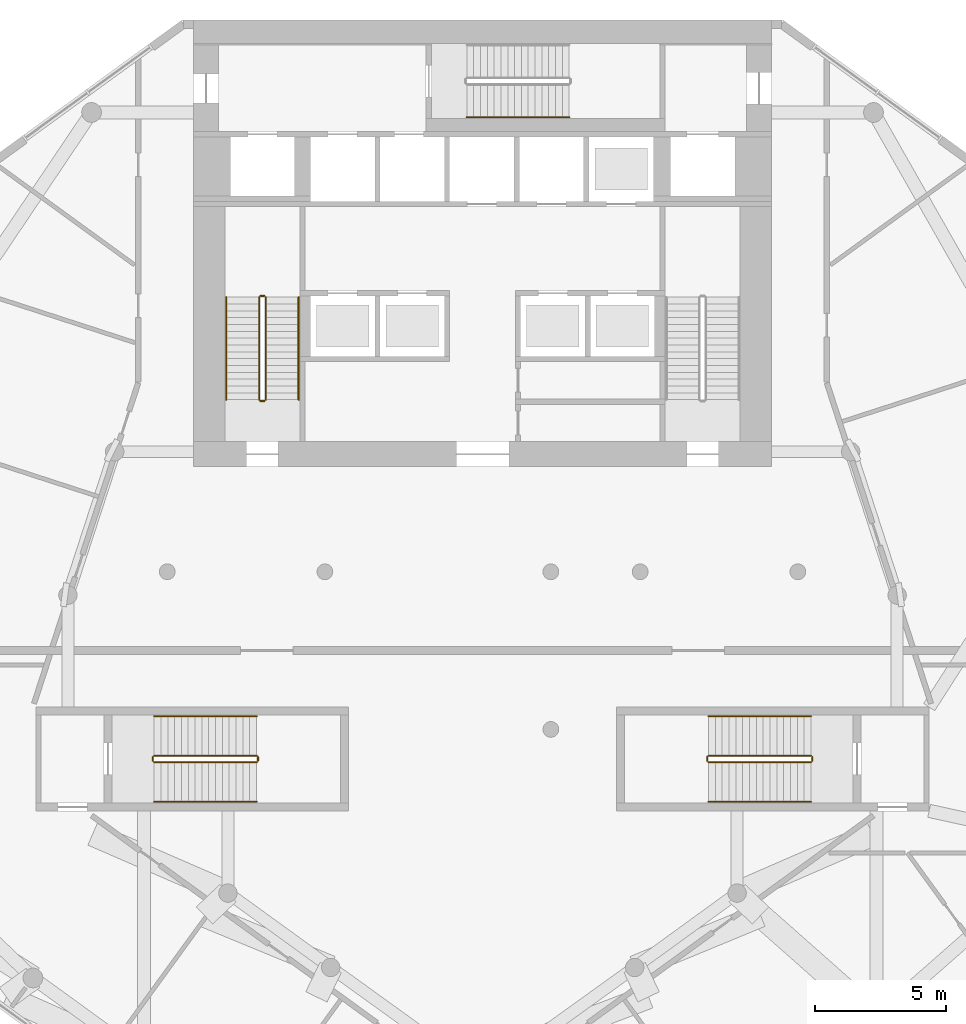
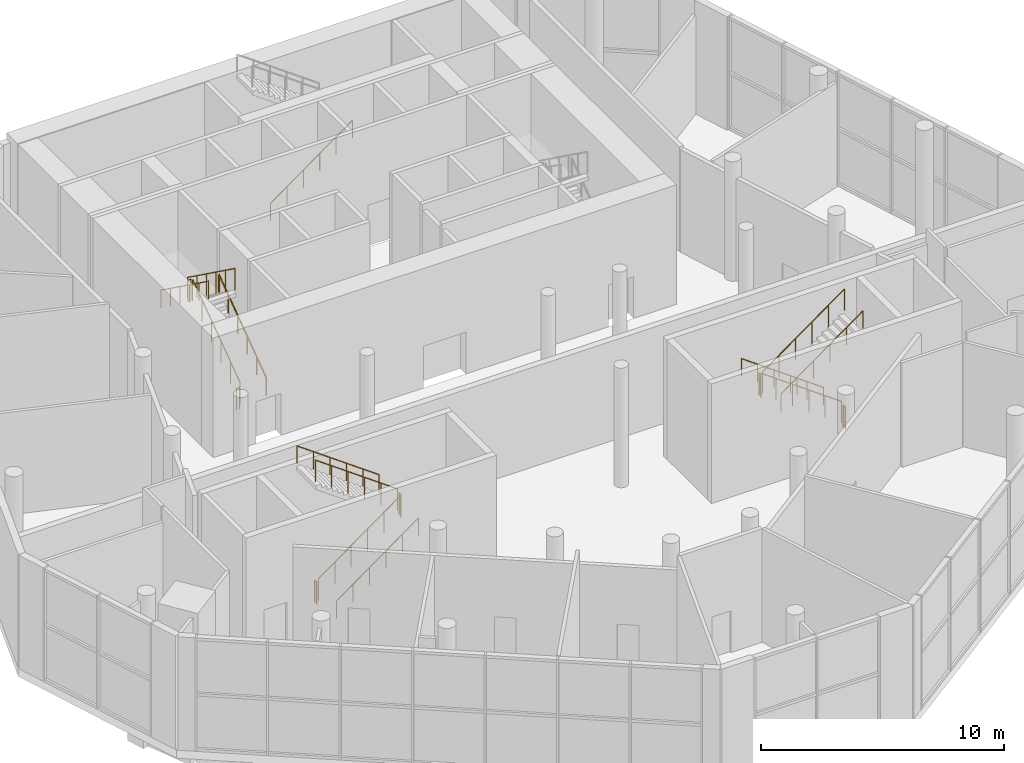
# One storey, part 12 of 14: 19 railings.
"""IFC4 building model written with IfcOpenShell, lengths in metres."""

from ifc_helpers import new_model, si_unit, direction, frame, origin, origin_2d, place, context, subcontext, project, spatial, circle, extrude, material, type_object, element, save


model = new_model("IFC4")

# Units and contexts
model_context = context("Model", 3, precision=1e-05, world=origin(), true_north=direction((0.0, 1.0)))
body_context = subcontext(model_context, "Body", "Model", "MODEL_VIEW")
ifc_project = project(units=[si_unit("LENGTHUNIT", "METRE"), si_unit("AREAUNIT", "SQUARE_METRE"), si_unit("VOLUMEUNIT", "CUBIC_METRE"), si_unit("PLANEANGLEUNIT", "RADIAN"), si_unit("MASSUNIT", "GRAM", prefix="KILO")], contexts=[model_context])

# Site, building, storey
site_placement = place(None, origin())
site = spatial("IfcSite", under=ifc_project, at=site_placement, CompositionType="ELEMENT")
building_placement = place(site_placement, origin())
building = spatial("IfcBuilding", under=site, at=building_placement, Name="White Candle Pilgrim Tower", CompositionType="ELEMENT")
storey_placement = place(building_placement, frame((0.0, 0.0, 142.60009765625)))
storey = spatial("IfcBuildingStorey", under=building, at=storey_placement, Name="L32", CompositionType="ELEMENT", Elevation=142.60009765625)

# Railings
ifc_material = material(Name="Stainless steel", Category="steel")
railing_type_1 = type_object("IfcRailingType", Name="Stair guard stainless steel 1100 mm", PredefinedType="GUARDRAIL", material=ifc_material)
railing_1_placement = place(storey_placement, frame((61.75, 73.550048828125, 0.1875)))
element("IfcRailing", 1, at=railing_1_placement, inside=storey, type_object=railing_type_1, Name="L32 ST1 stair guard 1", PredefinedType="GUARDRAIL", context=body_context, shape_type="SweptSolid", body=[
    extrude(circle(Radius=0.02392578125, at=origin_2d()), frame((0.0, 0.0, 1.076171875), z_axis=(0.0, 0.811083382981, 0.584930547887), x_axis=(-1.0, 0.0, 0.0)), (0.0, 0.0, 1.0), 4.808349609375),
    extrude(circle(Radius=0.02099609375, at=origin_2d()), origin(), (0.0, 0.0, 1.0), 1.052001953125),
    extrude(circle(Radius=0.02099609375, at=origin_2d()), frame((0.0, 0.780029296875, 0.5625)), (0.0, 0.0, 1.0), 1.052001953125),
    extrude(circle(Radius=0.02099609375, at=origin_2d()), frame((0.0, 1.56005859375, 1.125)), (0.0, 0.0, 1.0), 1.052001953125),
    extrude(circle(Radius=0.02099609375, at=origin_2d()), frame((0.0, 2.33984375, 1.6875)), (0.0, 0.0, 1.0), 1.052001953125),
    extrude(circle(Radius=0.02099609375, at=origin_2d()), frame((0.0, 3.119873046875, 2.25)), (0.0, 0.0, 1.0), 1.052001953125),
    extrude(circle(Radius=0.02099609375, at=origin_2d()), frame((0.0, 3.89990234375, 2.8125)), (0.0, 0.0, 1.0), 1.052001953125),
])
railing_2_placement = place(storey_placement, frame((61.699951171875, 77.5, 3.0)))
element("IfcRailing", 2, at=railing_2_placement, inside=storey, type_object=railing_type_1, Name="L32 ST1 stair guard 2", PredefinedType="GUARDRAIL", context=body_context, shape_type="SweptSolid", body=[
    extrude(circle(Radius=0.02392578125, at=origin_2d()), frame((0.0, 0.0, 1.076171875), z_axis=(-1.0, 0.0, 0.0), x_axis=(0.0, -1.0, 0.0)), (0.0, 0.0, 1.0), 0.14990234375),
    extrude(circle(Radius=0.02099609375, at=origin_2d()), origin(), (0.0, 0.0, 1.0), 1.052001953125),
    extrude(circle(Radius=0.02099609375, at=origin_2d()), frame((-0.14990234375, 0.0, 0.0)), (0.0, 0.0, 1.0), 1.052001953125),
])
railing_3_placement = place(storey_placement, frame((61.5, 77.449951171875, 3.1875)))
element("IfcRailing", 3, at=railing_3_placement, inside=storey, type_object=railing_type_1, Name="L32 ST1 stair guard 3", PredefinedType="GUARDRAIL", context=body_context, shape_type="SweptSolid", body=[
    extrude(circle(Radius=0.02392578125, at=origin_2d()), frame((0.0, 0.0, 1.076171875), z_axis=(0.0, -0.811083382981, 0.584930547887), x_axis=(1.0, 0.0, 0.0)), (0.0, 0.0, 1.0), 4.808349609375),
    extrude(circle(Radius=0.02099609375, at=origin_2d()), origin(), (0.0, 0.0, 1.0), 1.052001953125),
    extrude(circle(Radius=0.02099609375, at=origin_2d()), frame((0.0, -0.780029296875, 0.5625)), (0.0, 0.0, 1.0), 1.052001953125),
    extrude(circle(Radius=0.02099609375, at=origin_2d()), frame((0.0, -1.56005859375, 1.125)), (0.0, 0.0, 1.0), 1.052001953125),
    extrude(circle(Radius=0.02099609375, at=origin_2d()), frame((0.0, -2.33984375, 1.6875)), (0.0, 0.0, 1.0), 1.052001953125),
    extrude(circle(Radius=0.02099609375, at=origin_2d()), frame((0.0, -3.119873046875, 2.25)), (0.0, 0.0, 1.0), 1.052001953125),
    extrude(circle(Radius=0.02099609375, at=origin_2d()), frame((0.0, -3.89990234375, 2.8125)), (0.0, 0.0, 1.0), 1.052001953125),
])
railing_4_placement = place(storey_placement, frame((61.699951171875, 73.5, 0.0)))
element("IfcRailing", 4, at=railing_4_placement, inside=storey, type_object=railing_type_1, Name="L32 ST1 stair guard 4", PredefinedType="GUARDRAIL", context=body_context, shape_type="SweptSolid", body=[
    extrude(circle(Radius=0.02392578125, at=origin_2d()), frame((0.0, 0.0, 1.076171875), z_axis=(-1.0, 0.0, 0.0), x_axis=(0.0, -1.0, 0.0)), (0.0, 0.0, 1.0), 0.14990234375),
    extrude(circle(Radius=0.02099609375, at=origin_2d()), origin(), (0.0, 0.0, 1.0), 1.052001953125),
    extrude(circle(Radius=0.02099609375, at=origin_2d()), frame((-0.14990234375, 0.0, 0.0)), (0.0, 0.0, 1.0), 1.052001953125),
])
railing_5_placement = place(storey_placement, frame((82.5, 60.0, 0.1875)))
element("IfcRailing", 5, at=railing_5_placement, inside=storey, type_object=railing_type_1, Name="L32 ST4 stair guard 1", PredefinedType="GUARDRAIL", context=body_context, shape_type="SweptSolid", body=[
    extrude(circle(Radius=0.02392578125, at=origin_2d()), frame((0.0, 0.0, 1.076171875), z_axis=(-0.811083382981, 0.0, 0.584930547887), x_axis=(0.0, -1.0, 0.0)), (0.0, 0.0, 1.0), 4.808349609375),
    extrude(circle(Radius=0.02099609375, at=origin_2d()), origin(), (0.0, 0.0, 1.0), 1.052001953125),
    extrude(circle(Radius=0.02099609375, at=origin_2d()), frame((-0.780029296875, 0.0, 0.5625)), (0.0, 0.0, 1.0), 1.052001953125),
    extrude(circle(Radius=0.02099609375, at=origin_2d()), frame((-1.56005859375, 0.0, 1.125)), (0.0, 0.0, 1.0), 1.052001953125),
    extrude(circle(Radius=0.02099609375, at=origin_2d()), frame((-2.33984375, 0.0, 1.6875)), (0.0, 0.0, 1.0), 1.052001953125),
    extrude(circle(Radius=0.02099609375, at=origin_2d()), frame((-3.119873046875, 0.0, 2.25)), (0.0, 0.0, 1.0), 1.052001953125),
    extrude(circle(Radius=0.02099609375, at=origin_2d()), frame((-3.89990234375, 0.0, 2.8125)), (0.0, 0.0, 1.0), 1.052001953125),
])
railing_6_placement = place(storey_placement, frame((78.550048828125, 59.949951171875, 3.0)))
element("IfcRailing", 6, at=railing_6_placement, inside=storey, type_object=railing_type_1, Name="L32 ST4 stair guard 2", PredefinedType="GUARDRAIL", context=body_context, shape_type="SweptSolid", body=[
    extrude(circle(Radius=0.02392578125, at=origin_2d()), frame((0.0, 0.0, 1.076171875), z_axis=(0.0, -1.0, 0.0), x_axis=(1.0, 0.0, 0.0)), (0.0, 0.0, 1.0), 0.14990234375),
    extrude(circle(Radius=0.02099609375, at=origin_2d()), origin(), (0.0, 0.0, 1.0), 1.052001953125),
    extrude(circle(Radius=0.02099609375, at=origin_2d()), frame((0.0, -0.14990234375, 0.0)), (0.0, 0.0, 1.0), 1.052001953125),
])
railing_7_placement = place(storey_placement, frame((78.60009765625, 59.75, 3.1875)))
element("IfcRailing", 7, at=railing_7_placement, inside=storey, type_object=railing_type_1, Name="L32 ST4 stair guard 3", PredefinedType="GUARDRAIL", context=body_context, shape_type="SweptSolid", body=[
    extrude(circle(Radius=0.02392578125, at=origin_2d()), frame((0.0, 0.0, 1.076171875), z_axis=(0.811083382981, 0.0, 0.584930547887), x_axis=(0.0, 1.0, 0.0)), (0.0, 0.0, 1.0), 4.808349609375),
    extrude(circle(Radius=0.02099609375, at=origin_2d()), origin(), (0.0, 0.0, 1.0), 1.052001953125),
    extrude(circle(Radius=0.02099609375, at=origin_2d()), frame((0.780029296875, 0.0, 0.5625)), (0.0, 0.0, 1.0), 1.052001953125),
    extrude(circle(Radius=0.02099609375, at=origin_2d()), frame((1.56005859375, 0.0, 1.125)), (0.0, 0.0, 1.0), 1.052001953125),
    extrude(circle(Radius=0.02099609375, at=origin_2d()), frame((2.33984375, 0.0, 1.6875)), (0.0, 0.0, 1.0), 1.052001953125),
    extrude(circle(Radius=0.02099609375, at=origin_2d()), frame((3.119873046875, 0.0, 2.25)), (0.0, 0.0, 1.0), 1.052001953125),
    extrude(circle(Radius=0.02099609375, at=origin_2d()), frame((3.89990234375, 0.0, 2.8125)), (0.0, 0.0, 1.0), 1.052001953125),
])
railing_8_placement = place(storey_placement, frame((82.550048828125, 59.949951171875, 0.0)))
element("IfcRailing", 8, at=railing_8_placement, inside=storey, type_object=railing_type_1, Name="L32 ST4 stair guard 4", PredefinedType="GUARDRAIL", context=body_context, shape_type="SweptSolid", body=[
    extrude(circle(Radius=0.02392578125, at=origin_2d()), frame((0.0, 0.0, 1.076171875), z_axis=(0.0, -1.0, 0.0), x_axis=(1.0, 0.0, 0.0)), (0.0, 0.0, 1.0), 0.14990234375),
    extrude(circle(Radius=0.02099609375, at=origin_2d()), origin(), (0.0, 0.0, 1.0), 1.052001953125),
    extrude(circle(Radius=0.02099609375, at=origin_2d()), frame((0.0, -0.14990234375, 0.0)), (0.0, 0.0, 1.0), 1.052001953125),
])
railing_9_placement = place(storey_placement, frame((57.5, 59.75, 0.1875)))
element("IfcRailing", 9, at=railing_9_placement, inside=storey, type_object=railing_type_1, Name="L32 ST5 stair guard 1", PredefinedType="GUARDRAIL", context=body_context, shape_type="SweptSolid", body=[
    extrude(circle(Radius=0.02392578125, at=origin_2d()), frame((0.0, 0.0, 1.076171875), z_axis=(0.811083382981, 0.0, 0.584930547887), x_axis=(0.0, 1.0, 0.0)), (0.0, 0.0, 1.0), 4.808349609375),
    extrude(circle(Radius=0.02099609375, at=origin_2d()), origin(), (0.0, 0.0, 1.0), 1.052001953125),
    extrude(circle(Radius=0.02099609375, at=origin_2d()), frame((0.780029296875, 0.0, 0.5625)), (0.0, 0.0, 1.0), 1.052001953125),
    extrude(circle(Radius=0.02099609375, at=origin_2d()), frame((1.56005859375, 0.0, 1.125)), (0.0, 0.0, 1.0), 1.052001953125),
    extrude(circle(Radius=0.02099609375, at=origin_2d()), frame((2.33984375, 0.0, 1.6875)), (0.0, 0.0, 1.0), 1.052001953125),
    extrude(circle(Radius=0.02099609375, at=origin_2d()), frame((3.119873046875, 0.0, 2.25)), (0.0, 0.0, 1.0), 1.052001953125),
    extrude(circle(Radius=0.02099609375, at=origin_2d()), frame((3.89990234375, 0.0, 2.8125)), (0.0, 0.0, 1.0), 1.052001953125),
])
railing_10_placement = place(storey_placement, frame((61.449951171875, 59.800048828125, 3.0)))
element("IfcRailing", 10, at=railing_10_placement, inside=storey, type_object=railing_type_1, Name="L32 ST5 stair guard 2", PredefinedType="GUARDRAIL", context=body_context, shape_type="SweptSolid", body=[
    extrude(circle(Radius=0.02392578125, at=origin_2d()), frame((0.0, 0.0, 1.076171875), z_axis=(0.0, 1.0, 0.0), x_axis=(-1.0, 0.0, 0.0)), (0.0, 0.0, 1.0), 0.14990234375),
    extrude(circle(Radius=0.02099609375, at=origin_2d()), origin(), (0.0, 0.0, 1.0), 1.052001953125),
    extrude(circle(Radius=0.02099609375, at=origin_2d()), frame((0.0, 0.14990234375, 0.0)), (0.0, 0.0, 1.0), 1.052001953125),
])
railing_11_placement = place(storey_placement, frame((61.39990234375, 60.0, 3.1875)))
element("IfcRailing", 11, at=railing_11_placement, inside=storey, type_object=railing_type_1, Name="L32 ST5 stair guard 3", PredefinedType="GUARDRAIL", context=body_context, shape_type="SweptSolid", body=[
    extrude(circle(Radius=0.02392578125, at=origin_2d()), frame((0.0, 0.0, 1.076171875), z_axis=(-0.811083382981, 0.0, 0.584930547887), x_axis=(0.0, -1.0, 0.0)), (0.0, 0.0, 1.0), 4.808349609375),
    extrude(circle(Radius=0.02099609375, at=origin_2d()), origin(), (0.0, 0.0, 1.0), 1.052001953125),
    extrude(circle(Radius=0.02099609375, at=origin_2d()), frame((-0.780029296875, 0.0, 0.5625)), (0.0, 0.0, 1.0), 1.052001953125),
    extrude(circle(Radius=0.02099609375, at=origin_2d()), frame((-1.56005859375, 0.0, 1.125)), (0.0, 0.0, 1.0), 1.052001953125),
    extrude(circle(Radius=0.02099609375, at=origin_2d()), frame((-2.33984375, 0.0, 1.6875)), (0.0, 0.0, 1.0), 1.052001953125),
    extrude(circle(Radius=0.02099609375, at=origin_2d()), frame((-3.119873046875, 0.0, 2.25)), (0.0, 0.0, 1.0), 1.052001953125),
    extrude(circle(Radius=0.02099609375, at=origin_2d()), frame((-3.89990234375, 0.0, 2.8125)), (0.0, 0.0, 1.0), 1.052001953125),
])
railing_12_placement = place(storey_placement, frame((57.449951171875, 59.800048828125, 0.0)))
element("IfcRailing", 12, at=railing_12_placement, inside=storey, type_object=railing_type_1, Name="L32 ST5 stair guard 4", PredefinedType="GUARDRAIL", context=body_context, shape_type="SweptSolid", body=[
    extrude(circle(Radius=0.02392578125, at=origin_2d()), frame((0.0, 0.0, 1.076171875), z_axis=(0.0, 1.0, 0.0), x_axis=(-1.0, 0.0, 0.0)), (0.0, 0.0, 1.0), 0.14990234375),
    extrude(circle(Radius=0.02099609375, at=origin_2d()), origin(), (0.0, 0.0, 1.0), 1.052001953125),
    extrude(circle(Radius=0.02099609375, at=origin_2d()), frame((0.0, 0.14990234375, 0.0)), (0.0, 0.0, 1.0), 1.052001953125),
])
railing_type_2 = type_object("IfcRailingType", Name="Stair handrail stainless steel", PredefinedType="HANDRAIL", material=ifc_material)
railing_13_placement = place(storey_placement, frame((63.0, 73.550048828125, 0.1875)))
element("IfcRailing", 13, at=railing_13_placement, inside=storey, type_object=railing_type_2, Name="L32 ST1 stair handrail 1", PredefinedType="HANDRAIL", context=body_context, shape_type="SweptSolid", body=[
    extrude(circle(Radius=0.02392578125, at=origin_2d()), frame((0.0, 0.0, 0.8759765625), z_axis=(0.0, 0.811083382981, 0.584930547887), x_axis=(-1.0, 0.0, 0.0)), (0.0, 0.0, 1.0), 4.808349609375),
    extrude(circle(Radius=0.02099609375, at=origin_2d()), origin(), (0.0, 0.0, 1.0), 0.851806640625),
    extrude(circle(Radius=0.02099609375, at=origin_2d()), frame((0.0, 0.780029296875, 0.5625)), (0.0, 0.0, 1.0), 0.851806640625),
    extrude(circle(Radius=0.02099609375, at=origin_2d()), frame((0.0, 1.56005859375, 1.125)), (0.0, 0.0, 1.0), 0.851806640625),
    extrude(circle(Radius=0.02099609375, at=origin_2d()), frame((0.0, 2.33984375, 1.6875)), (0.0, 0.0, 1.0), 0.851806640625),
    extrude(circle(Radius=0.02099609375, at=origin_2d()), frame((0.0, 3.119873046875, 2.25)), (0.0, 0.0, 1.0), 0.851806640625),
    extrude(circle(Radius=0.02099609375, at=origin_2d()), frame((0.0, 3.89990234375, 2.8125)), (0.0, 0.0, 1.0), 0.851806640625),
])
railing_14_placement = place(storey_placement, frame((60.25, 77.449951171875, 3.1875)))
element("IfcRailing", 14, at=railing_14_placement, inside=storey, type_object=railing_type_2, Name="L32 ST1 stair handrail 2", PredefinedType="HANDRAIL", context=body_context, shape_type="SweptSolid", body=[
    extrude(circle(Radius=0.02392578125, at=origin_2d()), frame((0.0, 0.0, 0.8759765625), z_axis=(0.0, -0.811083382981, 0.584930547887), x_axis=(1.0, 0.0, 0.0)), (0.0, 0.0, 1.0), 4.808349609375),
    extrude(circle(Radius=0.02099609375, at=origin_2d()), origin(), (0.0, 0.0, 1.0), 0.851806640625),
    extrude(circle(Radius=0.02099609375, at=origin_2d()), frame((0.0, -0.780029296875, 0.5625)), (0.0, 0.0, 1.0), 0.851806640625),
    extrude(circle(Radius=0.02099609375, at=origin_2d()), frame((0.0, -1.56005859375, 1.125)), (0.0, 0.0, 1.0), 0.851806640625),
    extrude(circle(Radius=0.02099609375, at=origin_2d()), frame((0.0, -2.33984375, 1.6875)), (0.0, 0.0, 1.0), 0.851806640625),
    extrude(circle(Radius=0.02099609375, at=origin_2d()), frame((0.0, -3.119873046875, 2.25)), (0.0, 0.0, 1.0), 0.851806640625),
    extrude(circle(Radius=0.02099609375, at=origin_2d()), frame((0.0, -3.89990234375, 2.8125)), (0.0, 0.0, 1.0), 0.851806640625),
])
railing_15_placement = place(storey_placement, frame((69.39990234375, 84.300048828125, 0.1875)))
element("IfcRailing", 15, at=railing_15_placement, inside=storey, type_object=railing_type_2, Name="L32 ST3 stair handrail 1", PredefinedType="HANDRAIL", context=body_context, shape_type="SweptSolid", body=[
    extrude(circle(Radius=0.02392578125, at=origin_2d()), frame((0.0, 0.0, 0.8759765625), z_axis=(0.811100754333, 0.0, 0.584906459462), x_axis=(0.0, 1.0, 0.0)), (0.0, 0.0, 1.0), 4.808349609375),
    extrude(circle(Radius=0.02099609375, at=origin_2d()), origin(), (0.0, 0.0, 1.0), 0.851806640625),
    extrude(circle(Radius=0.02099609375, at=origin_2d()), frame((0.780029296875, 0.0, 0.5625)), (0.0, 0.0, 1.0), 0.851806640625),
    extrude(circle(Radius=0.02099609375, at=origin_2d()), frame((1.56005859375, 0.0, 1.125)), (0.0, 0.0, 1.0), 0.851806640625),
    extrude(circle(Radius=0.02099609375, at=origin_2d()), frame((2.340087890625, 0.0, 1.6875)), (0.0, 0.0, 1.0), 0.851806640625),
    extrude(circle(Radius=0.02099609375, at=origin_2d()), frame((3.1201171875, 0.0, 2.25)), (0.0, 0.0, 1.0), 0.851806640625),
    extrude(circle(Radius=0.02099609375, at=origin_2d()), frame((3.900146484375, 0.0, 2.8125)), (0.0, 0.0, 1.0), 0.851806640625),
])
railing_16_placement = place(storey_placement, frame((82.5, 61.5, 0.1875)))
element("IfcRailing", 16, at=railing_16_placement, inside=storey, type_object=railing_type_2, Name="L32 ST4 stair handrail 1", PredefinedType="HANDRAIL", context=body_context, shape_type="SweptSolid", body=[
    extrude(circle(Radius=0.02392578125, at=origin_2d()), frame((0.0, 0.0, 0.8759765625), z_axis=(-0.811083382981, 0.0, 0.584930547887), x_axis=(0.0, -1.0, 0.0)), (0.0, 0.0, 1.0), 4.808349609375),
    extrude(circle(Radius=0.02099609375, at=origin_2d()), origin(), (0.0, 0.0, 1.0), 0.851806640625),
    extrude(circle(Radius=0.02099609375, at=origin_2d()), frame((-0.780029296875, 0.0, 0.5625)), (0.0, 0.0, 1.0), 0.851806640625),
    extrude(circle(Radius=0.02099609375, at=origin_2d()), frame((-1.56005859375, 0.0, 1.125)), (0.0, 0.0, 1.0), 0.851806640625),
    extrude(circle(Radius=0.02099609375, at=origin_2d()), frame((-2.33984375, 0.0, 1.6875)), (0.0, 0.0, 1.0), 0.851806640625),
    extrude(circle(Radius=0.02099609375, at=origin_2d()), frame((-3.119873046875, 0.0, 2.25)), (0.0, 0.0, 1.0), 0.851806640625),
    extrude(circle(Radius=0.02099609375, at=origin_2d()), frame((-3.89990234375, 0.0, 2.8125)), (0.0, 0.0, 1.0), 0.851806640625),
])
for number, where, name in (
    (17, (78.60009765625, 58.25, 3.1875), "L32 ST4 stair handrail 2"),
    (18, (57.5, 58.25, 0.1875), "L32 ST5 stair handrail 1"),
):
    element("IfcRailing", number, at=place(storey_placement, frame(where)), inside=storey, type_object=railing_type_2, Name=name, PredefinedType="HANDRAIL", context=body_context, shape_type="SweptSolid", body=[
        extrude(circle(Radius=0.02392578125, at=origin_2d()), frame((0.0, 0.0, 0.8759765625), z_axis=(0.811083382981, 0.0, 0.584930547887), x_axis=(0.0, 1.0, 0.0)), (0.0, 0.0, 1.0), 4.808349609375),
        extrude(circle(Radius=0.02099609375, at=origin_2d()), origin(), (0.0, 0.0, 1.0), 0.851806640625),
        extrude(circle(Radius=0.02099609375, at=origin_2d()), frame((0.780029296875, 0.0, 0.5625)), (0.0, 0.0, 1.0), 0.851806640625),
        extrude(circle(Radius=0.02099609375, at=origin_2d()), frame((1.56005859375, 0.0, 1.125)), (0.0, 0.0, 1.0), 0.851806640625),
        extrude(circle(Radius=0.02099609375, at=origin_2d()), frame((2.33984375, 0.0, 1.6875)), (0.0, 0.0, 1.0), 0.851806640625),
        extrude(circle(Radius=0.02099609375, at=origin_2d()), frame((3.119873046875, 0.0, 2.25)), (0.0, 0.0, 1.0), 0.851806640625),
        extrude(circle(Radius=0.02099609375, at=origin_2d()), frame((3.89990234375, 0.0, 2.8125)), (0.0, 0.0, 1.0), 0.851806640625),
    ])
railing_17_placement = place(storey_placement, frame((61.39990234375, 61.5, 3.1875)))
element("IfcRailing", 19, at=railing_17_placement, inside=storey, type_object=railing_type_2, Name="L32 ST5 stair handrail 2", PredefinedType="HANDRAIL", context=body_context, shape_type="SweptSolid", body=[
    extrude(circle(Radius=0.02392578125, at=origin_2d()), frame((0.0, 0.0, 0.8759765625), z_axis=(-0.811083382981, 0.0, 0.584930547887), x_axis=(0.0, -1.0, 0.0)), (0.0, 0.0, 1.0), 4.808349609375),
    extrude(circle(Radius=0.02099609375, at=origin_2d()), origin(), (0.0, 0.0, 1.0), 0.851806640625),
    extrude(circle(Radius=0.02099609375, at=origin_2d()), frame((-0.780029296875, 0.0, 0.5625)), (0.0, 0.0, 1.0), 0.851806640625),
    extrude(circle(Radius=0.02099609375, at=origin_2d()), frame((-1.56005859375, 0.0, 1.125)), (0.0, 0.0, 1.0), 0.851806640625),
    extrude(circle(Radius=0.02099609375, at=origin_2d()), frame((-2.33984375, 0.0, 1.6875)), (0.0, 0.0, 1.0), 0.851806640625),
    extrude(circle(Radius=0.02099609375, at=origin_2d()), frame((-3.119873046875, 0.0, 2.25)), (0.0, 0.0, 1.0), 0.851806640625),
    extrude(circle(Radius=0.02099609375, at=origin_2d()), frame((-3.89990234375, 0.0, 2.8125)), (0.0, 0.0, 1.0), 0.851806640625),
])

save(model, "model.ifc")
